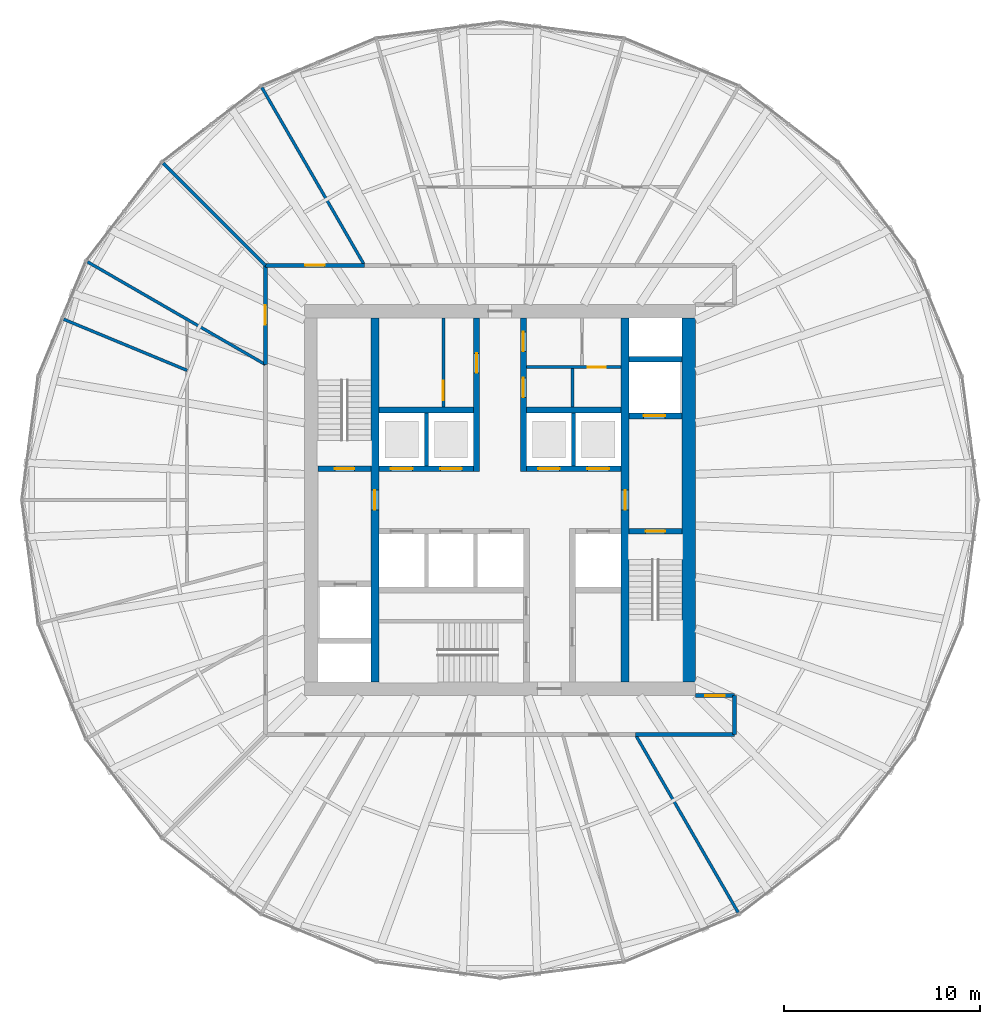
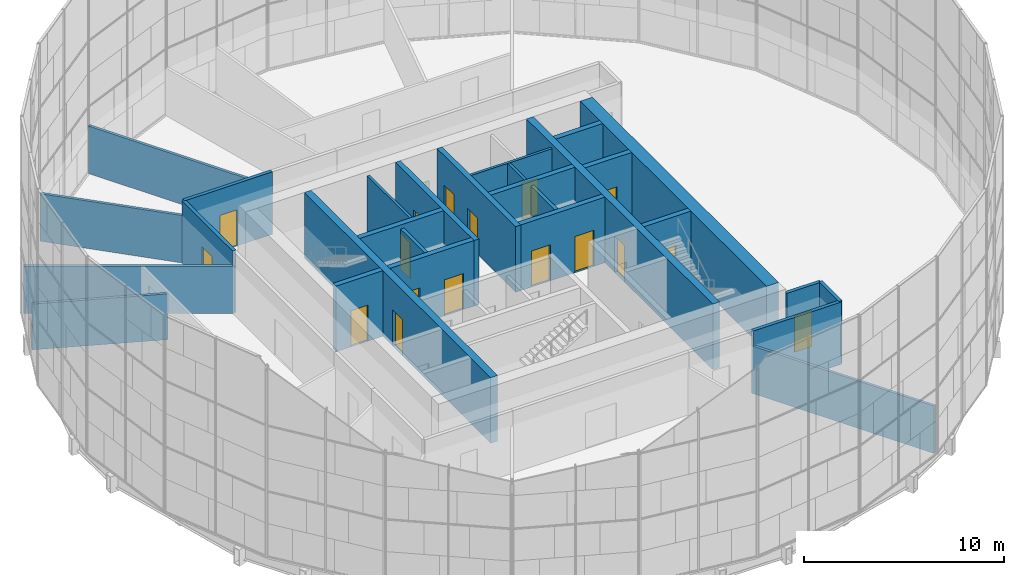
# One storey, part 19 of 22: 28 walls, 17 doors, 17 openings.
"""IFC4 building model written with IfcOpenShell, lengths in metres."""

from ifc_helpers import new_model, si_unit, direction, frame, frame_2d, origin, place, context, subcontext, project, spatial, rectangle, extrude, material, layer, layer_set, type_object, element, fill, save


model = new_model("IFC4")

# Units and contexts
model_context = context("Model", 3, precision=1e-05, world=origin(), true_north=direction((0.0, 1.0)))
body_context = subcontext(model_context, "Body", "Model", "MODEL_VIEW")
ifc_project = project(units=[si_unit("LENGTHUNIT", "METRE"), si_unit("AREAUNIT", "SQUARE_METRE"), si_unit("VOLUMEUNIT", "CUBIC_METRE"), si_unit("PLANEANGLEUNIT", "RADIAN"), si_unit("MASSUNIT", "GRAM", prefix="KILO")], contexts=[model_context])

# Site, building, storey
site_placement = place(None, origin())
site = spatial("IfcSite", under=ifc_project, at=site_placement, CompositionType="ELEMENT")
building_placement = place(site_placement, origin())
building = spatial("IfcBuilding", under=site, at=building_placement, Name="Golbaran Civic Tower", CompositionType="ELEMENT")
storey_placement = place(building_placement, frame((0.0, 0.0, 90.0)))
storey = spatial("IfcBuildingStorey", under=building, at=storey_placement, Name="L21", CompositionType="ELEMENT", Elevation=90.0)

# Wall, opening, door
ifc_material_1 = material(Name="Concrete block", Category="concrete")
ifc_layer_1 = layer(ifc_material_1, 0.14990234375, Name="Concrete block")
ifc_layer_set_1 = layer_set([ifc_layer_1], Name="Concrete block")
wall_type_1 = type_object("IfcWallType", Name="BLOCKWORK PARTITION 150", PredefinedType="PARTITIONING", material=ifc_layer_set_1)
wall_1_placement = place(storey_placement, frame((1.35009765625, 6.800048828125, 0.0), z_axis=(0.0, 0.0, 1.0), x_axis=(1.0, 0.0, 0.0)))
wall_1 = element("IfcWall", 1, at=wall_1_placement, inside=storey, type_object=wall_type_1, Name="Toilet block partition TN1 L21", PredefinedType="PARTITIONING", context=body_context, shape_type="SweptSolid", body=[
    extrude(rectangle(XDim=4.849853515625, YDim=0.14990234375, at=frame_2d((2.4248046875, 0.0))), origin(), (0.0, 0.0, 1.0), 3.75),
])
opening_1_placement = place(wall_1_placement, frame((3.14990234375, 0.0, 0.0)))
opening_1 = element("IfcOpeningElement", 2, at=opening_1_placement, cuts=wall_1, Name="Opening L21.CLN", PredefinedType="OPENING", context=body_context, shape_type="SweptSolid", body=[
    extrude(rectangle(XDim=0.89990234375, YDim=2.199951171875, at=frame_2d((0.449951171875, 1.10009765625))), frame((0.0, 0.0849609375, 0.0), z_axis=(0.0, -1.0, 0.0), x_axis=(1.0, 0.0, 0.0)), (0.0, 0.0, 1.0), 0.169921875),
])
ifc_material_2 = material(Name="Timber door set in steel frame", Category="steel")
door_type_1 = type_object("IfcDoorType", Name="RISER DOOR 900x2200", OperationType="SINGLE_SWING_LEFT", PredefinedType="DOOR", material=ifc_material_2)
door_1_placement = place(opening_1_placement, origin())
door_1 = element("IfcDoor", 3, at=door_1_placement, inside=storey, type_object=door_type_1, Name="Sanitary Supplies Store door", OperationType="SINGLE_SWING_RIGHT", OverallHeight=2.199951171875, OverallWidth=0.89990234375, PredefinedType="DOOR", context=body_context, shape_type="SweptSolid", body=[
    extrude(rectangle(XDim=0.89990234375, YDim=2.199951171875, at=frame_2d((0.449951171875, 1.10009765625))), frame((0.0, 0.02490234375, 0.0), z_axis=(0.0, -1.0, 0.0), x_axis=(1.0, 0.0, 0.0)), (0.0, 0.0, 1.0), 0.050048828125),
])
fill(opening_1, door_1)

# Wall
wall_2_placement = place(storey_placement, frame((3.699951171875, 4.75, 0.0), z_axis=(0.0, 0.0, 1.0), x_axis=(0.0, 1.0, 0.0)))
element("IfcWall", 4, at=wall_2_placement, inside=storey, type_object=wall_type_1, Name="Toilet block partition TN2 L21", PredefinedType="PARTITIONING", context=body_context, shape_type="SweptSolid", body=[
    extrude(rectangle(XDim=1.97509765625, YDim=0.14990234375, at=frame_2d((0.987548828125, 0.0))), origin(), (0.0, 0.0, 1.0), 3.75),
])

# Wall, opening, door
ifc_material_3 = material(Name="Concrete C50/60", Category="concrete")
ifc_layer_2 = layer(ifc_material_3, 0.39990234375, Name="Concrete C50/60")
ifc_layer_set_2 = layer_set([ifc_layer_2], Name="Concrete C50/60")
wall_type_2 = type_object("IfcWallType", Name="CORE WALL CONCRETE 400", PredefinedType="SOLIDWALL", material=ifc_layer_set_2)
wall_3_placement = place(storey_placement, frame((-6.39990234375, -9.300048828125, 0.0), z_axis=(0.0, 0.0, 1.0), x_axis=(0.0, 1.0, 0.0)))
wall_3 = element("IfcWall", 5, at=wall_3_placement, inside=storey, type_object=wall_type_2, Name="Core wall IW L21", PredefinedType="SOLIDWALL", context=body_context, shape_type="SweptSolid", body=[
    extrude(rectangle(XDim=18.60009765625, YDim=0.39990234375, at=frame_2d((9.300048828125, 0.0))), origin(), (0.0, 0.0, 1.0), 4.0),
])
opening_2_placement = place(wall_3_placement, frame((8.800048828125, 0.0, 0.0)))
opening_2 = element("IfcOpeningElement", 6, at=opening_2_placement, cuts=wall_3, Name="Opening L21.FL1", PredefinedType="OPENING", context=body_context, shape_type="SweptSolid", body=[
    extrude(rectangle(XDim=1.0, YDim=2.199951171875, at=frame_2d((0.5, 1.10009765625))), frame((0.0, 0.2099609375, 0.0), z_axis=(0.0, -1.0, 0.0), x_axis=(1.0, 0.0, 0.0)), (0.0, 0.0, 1.0), 0.419921875),
])
door_type_2 = type_object("IfcDoorType", Name="STAIR DOOR 1000x2200", OperationType="SINGLE_SWING_LEFT", PredefinedType="DOOR", material=ifc_material_2)
door_2_placement = place(opening_2_placement, origin())
door_2 = element("IfcDoor", 7, at=door_2_placement, inside=storey, type_object=door_type_2, Name="Fire-fighting lobby FL1 door", OperationType="SINGLE_SWING_LEFT", OverallHeight=2.199951171875, OverallWidth=1.0, PredefinedType="DOOR", context=body_context, shape_type="SweptSolid", body=[
    extrude(rectangle(XDim=1.0, YDim=2.199951171875, at=frame_2d((0.5, 1.10009765625))), frame((0.0, 0.02490234375, 0.0), z_axis=(0.0, -1.0, 0.0), x_axis=(1.0, 0.0, 0.0)), (0.0, 0.0, 1.0), 0.050048828125),
])
fill(opening_2, door_2)

wall_4_placement = place(storey_placement, frame((6.39990234375, 9.300048828125, 0.0), z_axis=(0.0, 0.0, 1.0), x_axis=(0.0, -1.0, 0.0)))
wall_4 = element("IfcWall", 8, at=wall_4_placement, inside=storey, type_object=wall_type_2, Name="Core wall IE L21", PredefinedType="SOLIDWALL", context=body_context, shape_type="SweptSolid", body=[
    extrude(rectangle(XDim=18.60009765625, YDim=0.39990234375, at=frame_2d((9.300048828125, 0.0))), origin(), (0.0, 0.0, 1.0), 4.0),
])
opening_3_placement = place(wall_4_placement, frame((8.800048828125, 0.0, 0.0)))
opening_3 = element("IfcOpeningElement", 9, at=opening_3_placement, cuts=wall_4, Name="Opening L21.FL2", PredefinedType="OPENING", context=body_context, shape_type="SweptSolid", body=[
    extrude(rectangle(XDim=1.0, YDim=2.199951171875, at=frame_2d((0.5, 1.10009765625))), frame((0.0, 0.2099609375, 0.0), z_axis=(0.0, -1.0, 0.0), x_axis=(1.0, 0.0, 0.0)), (0.0, 0.0, 1.0), 0.419921875),
])
door_3_placement = place(opening_3_placement, origin())
door_3 = element("IfcDoor", 10, at=door_3_placement, inside=storey, type_object=door_type_2, Name="Fire-fighting lobby FL2 door", OperationType="SINGLE_SWING_RIGHT", OverallHeight=2.199951171875, OverallWidth=1.0, PredefinedType="DOOR", context=body_context, shape_type="SweptSolid", body=[
    extrude(rectangle(XDim=1.0, YDim=2.199951171875, at=frame_2d((0.5, 1.10009765625))), frame((0.0, 0.02490234375, 0.0), z_axis=(0.0, -1.0, 0.0), x_axis=(1.0, 0.0, 0.0)), (0.0, 0.0, 1.0), 0.050048828125),
])
fill(opening_3, door_3)

# Wall
ifc_layer_3 = layer(ifc_material_3, 0.699951171875, Name="Concrete C50/60")
ifc_layer_set_3 = layer_set([ifc_layer_3], Name="Concrete C50/60")
wall_type_3 = type_object("IfcWallType", Name="CORE WALL CONCRETE 700", PredefinedType="SOLIDWALL", material=ifc_layer_set_3)
wall_5_placement = place(storey_placement, frame((9.64990234375, -9.300048828125, 0.0), z_axis=(0.0, 0.0, 1.0), x_axis=(0.0, 1.0, 0.0)))
element("IfcWall", 11, at=wall_5_placement, inside=storey, type_object=wall_type_3, Name="Core wall CE L21", PredefinedType="SOLIDWALL", context=body_context, shape_type="SweptSolid", body=[
    extrude(rectangle(XDim=18.60009765625, YDim=0.699951171875, at=frame_2d((9.300048828125, 0.0))), origin(), (0.0, 0.0, 1.0), 4.0),
])

# Wall, opening, door
ifc_material_4 = material(Name="Gypsum board on steel studs, fire-rated", Category="steel")
ifc_layer_4 = layer(ifc_material_4, 0.199951171875, Name="Gypsum board on steel studs, fire-rated")
ifc_layer_set_4 = layer_set([ifc_layer_4], Name="Gypsum board on steel studs, fire-rated")
wall_type_4 = type_object("IfcWallType", Name="CORRIDOR WALL 200", PredefinedType="PARTITIONING", material=ifc_layer_set_4)
wall_6_placement = place(storey_placement, frame((-6.92822265625, 12.0, 0.0), z_axis=(0.0, 0.0, 1.0), x_axis=(-1.0, 0.0, 0.0)))
wall_6 = element("IfcWall", 12, at=wall_6_placement, inside=storey, type_object=wall_type_4, Name="Corridor wall L21", PredefinedType="PARTITIONING", context=body_context, shape_type="SweptSolid", body=[
    extrude(rectangle(XDim=5.07177734375, YDim=0.199951171875, at=frame_2d((2.535888671875, 0.0))), origin(), (0.0, 0.0, 1.0), 3.800048828125),
])
opening_4_placement = place(wall_6_placement, frame((2.035888671875, 0.0, 0.0)))
opening_4 = element("IfcOpeningElement", 13, at=opening_4_placement, cuts=wall_6, Name="Opening L21.10", PredefinedType="OPENING", context=body_context, shape_type="SweptSolid", body=[
    extrude(rectangle(XDim=1.0, YDim=2.199951171875, at=frame_2d((0.5, 1.10009765625))), frame((0.0, 0.10986328125, 0.0), z_axis=(0.0, -1.0, 0.0), x_axis=(1.0, 0.0, 0.0)), (0.0, 0.0, 1.0), 0.219970703125),
])
door_type_3 = type_object("IfcDoorType", Name="OFFICE DOOR 1000x2200", OperationType="SINGLE_SWING_LEFT", PredefinedType="DOOR", material=ifc_material_2)
door_4_placement = place(opening_4_placement, origin())
door_4 = element("IfcDoor", 14, at=door_4_placement, inside=storey, type_object=door_type_3, Name="Interview Room door L21", OperationType="SINGLE_SWING_RIGHT", OverallHeight=2.199951171875, OverallWidth=1.0, PredefinedType="DOOR", context=body_context, shape_type="SweptSolid", body=[
    extrude(rectangle(XDim=1.0, YDim=2.199951171875, at=frame_2d((0.5, 1.10009765625))), frame((0.0, 0.02490234375, 0.0), z_axis=(0.0, -1.0, 0.0), x_axis=(1.0, 0.0, 0.0)), (0.0, 0.0, 1.0), 0.050048828125),
])
fill(opening_4, door_4)

wall_7_placement = place(storey_placement, frame((-12.0, 12.0, 0.0), z_axis=(0.0, 0.0, 1.0), x_axis=(0.0, -1.0, 0.0)))
wall_7 = element("IfcWall", 15, at=wall_7_placement, inside=storey, type_object=wall_type_4, Name="Corridor wall L21", PredefinedType="PARTITIONING", context=body_context, shape_type="SweptSolid", body=[
    extrude(rectangle(XDim=5.07177734375, YDim=0.199951171875, at=frame_2d((2.535888671875, 0.0))), origin(), (0.0, 0.0, 1.0), 3.800048828125),
])
opening_5_placement = place(wall_7_placement, frame((2.035888671875, 0.0, 0.0)))
opening_5 = element("IfcOpeningElement", 16, at=opening_5_placement, cuts=wall_7, Name="Opening L21.11", PredefinedType="OPENING", context=body_context, shape_type="SweptSolid", body=[
    extrude(rectangle(XDim=1.0, YDim=2.199951171875, at=frame_2d((0.5, 1.10009765625))), frame((0.0, 0.10986328125, 0.0), z_axis=(0.0, -1.0, 0.0), x_axis=(1.0, 0.0, 0.0)), (0.0, 0.0, 1.0), 0.219970703125),
])
door_5_placement = place(opening_5_placement, origin())
door_5 = element("IfcDoor", 17, at=door_5_placement, inside=storey, type_object=door_type_3, Name="Office door L21", OperationType="SINGLE_SWING_RIGHT", OverallHeight=2.199951171875, OverallWidth=1.0, PredefinedType="DOOR", context=body_context, shape_type="SweptSolid", body=[
    extrude(rectangle(XDim=1.0, YDim=2.199951171875, at=frame_2d((0.5, 1.10009765625))), frame((0.0, 0.02490234375, 0.0), z_axis=(0.0, -1.0, 0.0), x_axis=(1.0, 0.0, 0.0)), (0.0, 0.0, 1.0), 0.050048828125),
])
fill(opening_5, door_5)

# Walls
wall_8_placement = place(storey_placement, frame((6.92822265625, -12.0, 0.0), z_axis=(0.0, 0.0, 1.0), x_axis=(1.0, 0.0, 0.0)))
element("IfcWall", 18, at=wall_8_placement, inside=storey, type_object=wall_type_4, Name="Corridor wall L21", PredefinedType="PARTITIONING", context=body_context, shape_type="SweptSolid", body=[
    extrude(rectangle(XDim=5.07177734375, YDim=0.199951171875, at=frame_2d((2.535888671875, 0.0))), origin(), (0.0, 0.0, 1.0), 3.800048828125),
])
wall_9_placement = place(storey_placement, frame((12.0, -12.0, 0.0), z_axis=(0.0, 0.0, 1.0), x_axis=(0.0, 1.0, 0.0)))
element("IfcWall", 19, at=wall_9_placement, inside=storey, type_object=wall_type_4, Name="Corridor wall L21", PredefinedType="PARTITIONING", context=body_context, shape_type="SweptSolid", body=[
    extrude(rectangle(XDim=2.0, YDim=0.199951171875, at=frame_2d((1.0, 0.0))), origin(), (0.0, 0.0, 1.0), 3.800048828125),
])

# Wall, opening, door
wall_10_placement = place(storey_placement, frame((10.0, -10.0, 0.0), z_axis=(0.0, 0.0, 1.0), x_axis=(1.0, 0.0, 0.0)))
wall_10 = element("IfcWall", 20, at=wall_10_placement, inside=storey, type_object=wall_type_4, Name="Corridor end wall L21", PredefinedType="PARTITIONING", context=body_context, shape_type="SweptSolid", body=[
    extrude(rectangle(XDim=2.0, YDim=0.199951171875, at=frame_2d((1.0, 0.0))), origin(), (0.0, 0.0, 1.0), 3.800048828125),
])
opening_6_placement = place(wall_10_placement, frame((0.5, 0.0, 0.0)))
opening_6 = element("IfcOpeningElement", 21, at=opening_6_placement, cuts=wall_10, Name="Opening L21.20", PredefinedType="OPENING", context=body_context, shape_type="SweptSolid", body=[
    extrude(rectangle(XDim=1.0, YDim=2.199951171875, at=frame_2d((0.5, 1.10009765625))), frame((0.0, 0.10986328125, 0.0), z_axis=(0.0, -1.0, 0.0), x_axis=(1.0, 0.0, 0.0)), (0.0, 0.0, 1.0), 0.219970703125),
])
door_6_placement = place(opening_6_placement, origin())
door_6 = element("IfcDoor", 22, at=door_6_placement, inside=storey, type_object=door_type_3, Name="Open Office door L21", OperationType="SINGLE_SWING_LEFT", OverallHeight=2.199951171875, OverallWidth=1.0, PredefinedType="DOOR", context=body_context, shape_type="SweptSolid", body=[
    extrude(rectangle(XDim=1.0, YDim=2.199951171875, at=frame_2d((0.5, 1.10009765625))), frame((0.0, 0.02490234375, 0.0), z_axis=(0.0, -1.0, 0.0), x_axis=(1.0, 0.0, 0.0)), (0.0, 0.0, 1.0), 0.050048828125),
])
fill(opening_6, door_6)

# Walls
ifc_layer_5 = layer(ifc_material_1, 0.199951171875, Name="Concrete block")
ifc_layer_set_5 = layer_set([ifc_layer_5], Name="Concrete block")
wall_type_5 = type_object("IfcWallType", Name="LIFT SEPARATOR WALL 200", PredefinedType="SOLIDWALL", material=ifc_layer_set_5)
for number, where, z_axis, x_axis, name in (
    (23, (-3.75, 1.75, 0.0), (0.0, 0.0, 1.0), (0.0, 1.0, 0.0), "Core partition SNW L21"),
    (24, (3.75, 1.75, 0.0), (0.0, 0.0, 1.0), (0.0, 1.0, 0.0), "Core partition SNE L21"),
):
    element("IfcWall", number, at=place(storey_placement, frame(where, z_axis=z_axis, x_axis=x_axis)), inside=storey, type_object=wall_type_5, Name=name, PredefinedType="SOLIDWALL", context=body_context, shape_type="SweptSolid", body=[
        extrude(rectangle(XDim=2.699951171875, YDim=0.199951171875, at=frame_2d((1.35009765625, 0.0))), origin(), (0.0, 0.0, 1.0), 3.75),
    ])
ifc_material_5 = material(Name="Gypsum board on steel studs", Category="steel")
ifc_layer_6 = layer(ifc_material_5, 0.14990234375, Name="Gypsum board on steel studs")
ifc_layer_set_6 = layer_set([ifc_layer_6], Name="Gypsum board on steel studs")
wall_type_6 = type_object("IfcWallType", Name="OFFICE PARTITION 150", PredefinedType="PARTITIONING", material=ifc_layer_set_6)
wall_11_placement = place(storey_placement, frame((-6.92822265625, 12.0, 0.0), z_axis=(0.0, 0.0, 1.0), x_axis=(-0.499995153367, 0.866028201971, 0.0)))
element("IfcWall", 25, at=wall_11_placement, inside=storey, type_object=wall_type_6, Name="Partition 120 L21", PredefinedType="PARTITIONING", context=body_context, shape_type="SweptSolid", body=[
    extrude(rectangle(XDim=10.513671875, YDim=0.14990234375, at=frame_2d((5.2568359375, 0.0))), origin(), (0.0, 0.0, 1.0), 2.889892578125),
])
wall_12_placement = place(storey_placement, frame((-12.0, 12.0, 0.0), z_axis=(0.0, 0.0, 1.0), x_axis=(-0.707106781187, 0.707106781187, 0.0)))
element("IfcWall", 26, at=wall_12_placement, inside=storey, type_object=wall_type_6, Name="Partition 135 L21", PredefinedType="PARTITIONING", context=body_context, shape_type="SweptSolid", body=[
    extrude(rectangle(XDim=7.399658203125, YDim=0.14990234375, at=frame_2d((3.69970703125, 0.0))), origin(), (0.0, 0.0, 1.0), 2.889892578125),
])
for number, where, z_axis, x_axis, name in (
    (27, (-12.0, 6.92822265625, 0.0), (0.0, 0.0, 1.0), (-0.866028201971, 0.499995153367, 0.0), "Partition 150 L21"),
    (28, (6.92822265625, -12.0, 0.0), (0.0, 0.0, 1.0), (0.499995153367, -0.866028201971, 0.0), "Partition 300 L21"),
):
    element("IfcWall", number, at=place(storey_placement, frame(where, z_axis=z_axis, x_axis=x_axis)), inside=storey, type_object=wall_type_6, Name=name, PredefinedType="PARTITIONING", context=body_context, shape_type="SweptSolid", body=[
        extrude(rectangle(XDim=10.513671875, YDim=0.14990234375, at=frame_2d((5.2568359375, 0.0))), origin(), (0.0, 0.0, 1.0), 2.889892578125),
    ])
wall_13_placement = place(storey_placement, frame((-16.0, 6.62744140625, 0.0), z_axis=(0.0, 0.0, 1.0), x_axis=(-0.923878127723, 0.382686823805, 0.0)))
element("IfcWall", 29, at=wall_13_placement, inside=storey, type_object=wall_type_6, Name="Partition 157.5 L21", PredefinedType="PARTITIONING", context=body_context, shape_type="SweptSolid", body=[
    extrude(rectangle(XDim=6.843505859375, YDim=0.14990234375, at=frame_2d((3.421875, 0.0))), origin(), (0.0, 0.0, 1.0), 2.7900390625),
])

# Wall, openings, doors
ifc_layer_7 = layer(ifc_material_3, 0.300048828125, Name="Concrete C50/60")
ifc_layer_set_7 = layer_set([ifc_layer_7], Name="Concrete C50/60")
wall_type_7 = type_object("IfcWallType", Name="SHAFT WALL CONCRETE 300", PredefinedType="SOLIDWALL", material=ifc_layer_set_7)
wall_14_placement = place(storey_placement, frame((-6.199951171875, 1.60009765625, 0.0), z_axis=(0.0, 0.0, 1.0), x_axis=(1.0, 0.0, 0.0)))
wall_14 = element("IfcWall", 30, at=wall_14_placement, inside=storey, type_object=wall_type_7, Name="Core wall FNW L21", PredefinedType="SOLIDWALL", context=body_context, shape_type="SweptSolid", body=[
    extrude(rectangle(XDim=4.849853515625, YDim=0.300048828125, at=frame_2d((2.4248046875, 0.0))), origin(), (0.0, 0.0, 1.0), 4.0),
])
opening_7_placement = place(wall_14_placement, frame((0.625, 0.0, 0.0)))
opening_7 = element("IfcOpeningElement", 31, at=opening_7_placement, cuts=wall_14, Name="Opening L21.LD-Z1M", PredefinedType="OPENING", context=body_context, shape_type="SweptSolid", body=[
    extrude(rectangle(XDim=1.10009765625, YDim=2.199951171875, at=frame_2d((0.550048828125, 1.10009765625))), frame((0.0, 0.159912109375, 0.0), z_axis=(0.0, -1.0, 0.0), x_axis=(1.0, 0.0, 0.0)), (0.0, 0.0, 1.0), 0.320068359375),
])
opening_8_placement = place(wall_14_placement, frame((3.14990234375, 0.0, 0.0)))
opening_8 = element("IfcOpeningElement", 32, at=opening_8_placement, cuts=wall_14, Name="Opening L21.LD-Z2M", PredefinedType="OPENING", context=body_context, shape_type="SweptSolid", body=[
    extrude(rectangle(XDim=1.10009765625, YDim=2.199951171875, at=frame_2d((0.550048828125, 1.10009765625))), frame((0.0, 0.159912109375, 0.0), z_axis=(0.0, -1.0, 0.0), x_axis=(1.0, 0.0, 0.0)), (0.0, 0.0, 1.0), 0.320068359375),
])
ifc_material_6 = material(Name="Stainless steel", Category="steel")
door_type_4 = type_object("IfcDoorType", Name="LIFT LANDING DOOR 1100x2200", OperationType="SLIDING_TO_LEFT", PredefinedType="DOOR", material=ifc_material_6)
door_7_placement = place(opening_7_placement, origin())
door_7 = element("IfcDoor", 33, at=door_7_placement, inside=storey, type_object=door_type_4, Name="Lift landing door Z1M", OperationType="SLIDING_TO_LEFT", OverallHeight=2.199951171875, OverallWidth=1.10009765625, PredefinedType="DOOR", context=body_context, shape_type="SweptSolid", body=[
    extrude(rectangle(XDim=1.10009765625, YDim=2.199951171875, at=frame_2d((0.550048828125, 1.10009765625))), frame((0.0, 0.02490234375, 0.0), z_axis=(0.0, -1.0, 0.0), x_axis=(1.0, 0.0, 0.0)), (0.0, 0.0, 1.0), 0.050048828125),
])
fill(opening_7, door_7)
door_8_placement = place(opening_8_placement, origin())
door_8 = element("IfcDoor", 34, at=door_8_placement, inside=storey, type_object=door_type_4, Name="Lift landing door Z2M", OperationType="SLIDING_TO_LEFT", OverallHeight=2.199951171875, OverallWidth=1.10009765625, PredefinedType="DOOR", context=body_context, shape_type="SweptSolid", body=[
    extrude(rectangle(XDim=1.10009765625, YDim=2.199951171875, at=frame_2d((0.550048828125, 1.10009765625))), frame((0.0, 0.02490234375, 0.0), z_axis=(0.0, -1.0, 0.0), x_axis=(1.0, 0.0, 0.0)), (0.0, 0.0, 1.0), 0.050048828125),
])
fill(opening_8, door_8)

wall_15_placement = place(storey_placement, frame((1.35009765625, 1.60009765625, 0.0), z_axis=(0.0, 0.0, 1.0), x_axis=(1.0, 0.0, 0.0)))
wall_15 = element("IfcWall", 35, at=wall_15_placement, inside=storey, type_object=wall_type_7, Name="Core wall FNE L21", PredefinedType="SOLIDWALL", context=body_context, shape_type="SweptSolid", body=[
    extrude(rectangle(XDim=4.849853515625, YDim=0.300048828125, at=frame_2d((2.4248046875, 0.0))), origin(), (0.0, 0.0, 1.0), 4.0),
])
opening_9_placement = place(wall_15_placement, frame((0.60009765625, 0.0, 0.0)))
opening_9 = element("IfcOpeningElement", 36, at=opening_9_placement, cuts=wall_15, Name="Opening L21.LD-Z3M", PredefinedType="OPENING", context=body_context, shape_type="SweptSolid", body=[
    extrude(rectangle(XDim=1.10009765625, YDim=2.199951171875, at=frame_2d((0.550048828125, 1.10009765625))), frame((0.0, 0.159912109375, 0.0), z_axis=(0.0, -1.0, 0.0), x_axis=(1.0, 0.0, 0.0)), (0.0, 0.0, 1.0), 0.320068359375),
])
opening_10_placement = place(wall_15_placement, frame((3.125, 0.0, 0.0)))
opening_10 = element("IfcOpeningElement", 37, at=opening_10_placement, cuts=wall_15, Name="Opening L21.LD-Z4M", PredefinedType="OPENING", context=body_context, shape_type="SweptSolid", body=[
    extrude(rectangle(XDim=1.10009765625, YDim=2.199951171875, at=frame_2d((0.550048828125, 1.10009765625))), frame((0.0, 0.159912109375, 0.0), z_axis=(0.0, -1.0, 0.0), x_axis=(1.0, 0.0, 0.0)), (0.0, 0.0, 1.0), 0.320068359375),
])
door_9_placement = place(opening_9_placement, origin())
door_9 = element("IfcDoor", 38, at=door_9_placement, inside=storey, type_object=door_type_4, Name="Lift landing door Z3M", OperationType="SLIDING_TO_LEFT", OverallHeight=2.199951171875, OverallWidth=1.10009765625, PredefinedType="DOOR", context=body_context, shape_type="SweptSolid", body=[
    extrude(rectangle(XDim=1.10009765625, YDim=2.199951171875, at=frame_2d((0.550048828125, 1.10009765625))), frame((0.0, 0.02490234375, 0.0), z_axis=(0.0, -1.0, 0.0), x_axis=(1.0, 0.0, 0.0)), (0.0, 0.0, 1.0), 0.050048828125),
])
fill(opening_9, door_9)
door_10_placement = place(opening_10_placement, origin())
door_10 = element("IfcDoor", 39, at=door_10_placement, inside=storey, type_object=door_type_4, Name="Lift landing door Z4M", OperationType="SLIDING_TO_LEFT", OverallHeight=2.199951171875, OverallWidth=1.10009765625, PredefinedType="DOOR", context=body_context, shape_type="SweptSolid", body=[
    extrude(rectangle(XDim=1.10009765625, YDim=2.199951171875, at=frame_2d((0.550048828125, 1.10009765625))), frame((0.0, 0.02490234375, 0.0), z_axis=(0.0, -1.0, 0.0), x_axis=(1.0, 0.0, 0.0)), (0.0, 0.0, 1.0), 0.050048828125),
])
fill(opening_10, door_10)

# Walls
for number, where, z_axis, x_axis, name in (
    (40, (-6.199951171875, 4.60009765625, 0.0), (0.0, 0.0, 1.0), (1.0, 0.0, 0.0), "Core wall BNW L21"),
    (41, (1.35009765625, 4.60009765625, 0.0), (0.0, 0.0, 1.0), (1.0, 0.0, 0.0), "Core wall BNE L21"),
):
    element("IfcWall", number, at=place(storey_placement, frame(where, z_axis=z_axis, x_axis=x_axis)), inside=storey, type_object=wall_type_7, Name=name, PredefinedType="SOLIDWALL", context=body_context, shape_type="SweptSolid", body=[
        extrude(rectangle(XDim=4.849853515625, YDim=0.300048828125, at=frame_2d((2.4248046875, 0.0))), origin(), (0.0, 0.0, 1.0), 4.0),
    ])

# Wall, opening, door
wall_16_placement = place(storey_placement, frame((-1.199951171875, 1.449951171875, 0.0), z_axis=(0.0, 0.0, 1.0), x_axis=(0.0, 1.0, 0.0)))
wall_16 = element("IfcWall", 42, at=wall_16_placement, inside=storey, type_object=wall_type_7, Name="Core wall PNW L21", PredefinedType="SOLIDWALL", context=body_context, shape_type="SweptSolid", body=[
    extrude(rectangle(XDim=7.85009765625, YDim=0.300048828125, at=frame_2d((3.925048828125, 0.0))), origin(), (0.0, 0.0, 1.0), 4.0),
])
opening_11_placement = place(wall_16_placement, frame((5.050048828125, 0.0, 0.0)))
opening_11 = element("IfcOpeningElement", 43, at=opening_11_placement, cuts=wall_16, Name="Opening L21.WCM", PredefinedType="OPENING", context=body_context, shape_type="SweptSolid", body=[
    extrude(rectangle(XDim=1.0, YDim=2.199951171875, at=frame_2d((0.5, 1.10009765625))), frame((0.0, 0.159912109375, 0.0), z_axis=(0.0, -1.0, 0.0), x_axis=(1.0, 0.0, 0.0)), (0.0, 0.0, 1.0), 0.320068359375),
])
door_type_5 = type_object("IfcDoorType", Name="TOILET DOOR 1000x2200", OperationType="SINGLE_SWING_LEFT", PredefinedType="DOOR", material=ifc_material_2)
door_11_placement = place(opening_11_placement, origin())
door_11 = element("IfcDoor", 44, at=door_11_placement, inside=storey, type_object=door_type_5, Name="North-west toilet block door", OperationType="SINGLE_SWING_RIGHT", OverallHeight=2.199951171875, OverallWidth=1.0, PredefinedType="DOOR", context=body_context, shape_type="SweptSolid", body=[
    extrude(rectangle(XDim=1.0, YDim=2.199951171875, at=frame_2d((0.5, 1.10009765625))), frame((0.0, 0.02490234375, 0.0), z_axis=(0.0, -1.0, 0.0), x_axis=(1.0, 0.0, 0.0)), (0.0, 0.0, 1.0), 0.050048828125),
])
fill(opening_11, door_11)

# Wall, openings, doors
wall_17_placement = place(storey_placement, frame((1.199951171875, 1.449951171875, 0.0), z_axis=(0.0, 0.0, 1.0), x_axis=(0.0, 1.0, 0.0)))
wall_17 = element("IfcWall", 45, at=wall_17_placement, inside=storey, type_object=wall_type_7, Name="Core wall PNE L21", PredefinedType="SOLIDWALL", context=body_context, shape_type="SweptSolid", body=[
    extrude(rectangle(XDim=7.85009765625, YDim=0.300048828125, at=frame_2d((3.925048828125, 0.0))), origin(), (0.0, 0.0, 1.0), 4.0),
])
opening_12_placement = place(wall_17_placement, frame((3.800048828125, 0.0, 0.0)))
opening_12 = element("IfcOpeningElement", 46, at=opening_12_placement, cuts=wall_17, Name="Opening L21.WCA", PredefinedType="OPENING", context=body_context, shape_type="SweptSolid", body=[
    extrude(rectangle(XDim=1.0, YDim=2.199951171875, at=frame_2d((0.5, 1.10009765625))), frame((0.0, 0.159912109375, 0.0), z_axis=(0.0, -1.0, 0.0), x_axis=(1.0, 0.0, 0.0)), (0.0, 0.0, 1.0), 0.320068359375),
])
opening_13_placement = place(wall_17_placement, frame((6.14990234375, 0.0, 0.0)))
opening_13 = element("IfcOpeningElement", 47, at=opening_13_placement, cuts=wall_17, Name="Opening L21.WCF", PredefinedType="OPENING", context=body_context, shape_type="SweptSolid", body=[
    extrude(rectangle(XDim=1.0, YDim=2.199951171875, at=frame_2d((0.5, 1.10009765625))), frame((0.0, 0.159912109375, 0.0), z_axis=(0.0, -1.0, 0.0), x_axis=(1.0, 0.0, 0.0)), (0.0, 0.0, 1.0), 0.320068359375),
])
door_12_placement = place(opening_12_placement, origin())
door_12 = element("IfcDoor", 48, at=door_12_placement, inside=storey, type_object=door_type_5, Name="Accessible WC door", OperationType="SINGLE_SWING_RIGHT", OverallHeight=2.199951171875, OverallWidth=1.0, PredefinedType="DOOR", context=body_context, shape_type="SweptSolid", body=[
    extrude(rectangle(XDim=1.0, YDim=2.199951171875, at=frame_2d((0.5, 1.10009765625))), frame((0.0, 0.02490234375, 0.0), z_axis=(0.0, -1.0, 0.0), x_axis=(1.0, 0.0, 0.0)), (0.0, 0.0, 1.0), 0.050048828125),
])
fill(opening_12, door_12)
door_13_placement = place(opening_13_placement, origin())
door_13 = element("IfcDoor", 49, at=door_13_placement, inside=storey, type_object=door_type_5, Name="North-east toilet block door", OperationType="SINGLE_SWING_RIGHT", OverallHeight=2.199951171875, OverallWidth=1.0, PredefinedType="DOOR", context=body_context, shape_type="SweptSolid", body=[
    extrude(rectangle(XDim=1.0, YDim=2.199951171875, at=frame_2d((0.5, 1.10009765625))), frame((0.0, 0.02490234375, 0.0), z_axis=(0.0, -1.0, 0.0), x_axis=(1.0, 0.0, 0.0)), (0.0, 0.0, 1.0), 0.050048828125),
])
fill(opening_13, door_13)

# Wall, opening, door
wall_18_placement = place(storey_placement, frame((-9.300048828125, 1.60009765625, 0.0), z_axis=(0.0, 0.0, 1.0), x_axis=(1.0, 0.0, 0.0)))
wall_18 = element("IfcWall", 50, at=wall_18_placement, inside=storey, type_object=wall_type_7, Name="Core wall XW1 L21", PredefinedType="SOLIDWALL", context=body_context, shape_type="SweptSolid", body=[
    extrude(rectangle(XDim=2.699951171875, YDim=0.300048828125, at=frame_2d((1.35009765625, 0.0))), origin(), (0.0, 0.0, 1.0), 4.0),
])
opening_14_placement = place(wall_18_placement, frame((0.85009765625, 0.0, 0.0)))
opening_14 = element("IfcOpeningElement", 51, at=opening_14_placement, cuts=wall_18, Name="Opening L21.S1", PredefinedType="OPENING", context=body_context, shape_type="SweptSolid", body=[
    extrude(rectangle(XDim=1.0, YDim=2.199951171875, at=frame_2d((0.5, 1.10009765625))), frame((0.0, 0.159912109375, 0.0), z_axis=(0.0, -1.0, 0.0), x_axis=(1.0, 0.0, 0.0)), (0.0, 0.0, 1.0), 0.320068359375),
])
door_14_placement = place(opening_14_placement, origin())
door_14 = element("IfcDoor", 52, at=door_14_placement, inside=storey, type_object=door_type_2, Name="Stair S1 door", OperationType="SINGLE_SWING_LEFT", OverallHeight=2.199951171875, OverallWidth=1.0, PredefinedType="DOOR", context=body_context, shape_type="SweptSolid", body=[
    extrude(rectangle(XDim=1.0, YDim=2.199951171875, at=frame_2d((0.5, 1.10009765625))), frame((0.0, 0.02490234375, 0.0), z_axis=(0.0, -1.0, 0.0), x_axis=(1.0, 0.0, 0.0)), (0.0, 0.0, 1.0), 0.050048828125),
])
fill(opening_14, door_14)

wall_19_placement = place(storey_placement, frame((6.60009765625, -1.60009765625, 0.0), z_axis=(0.0, 0.0, 1.0), x_axis=(1.0, 0.0, 0.0)))
wall_19 = element("IfcWall", 53, at=wall_19_placement, inside=storey, type_object=wall_type_7, Name="Core wall XE1 L21", PredefinedType="SOLIDWALL", context=body_context, shape_type="SweptSolid", body=[
    extrude(rectangle(XDim=2.699951171875, YDim=0.300048828125, at=frame_2d((1.35009765625, 0.0))), origin(), (0.0, 0.0, 1.0), 4.0),
])
opening_15_placement = place(wall_19_placement, frame((0.85009765625, 0.0, 0.0)))
opening_15 = element("IfcOpeningElement", 54, at=opening_15_placement, cuts=wall_19, Name="Opening L21.S2", PredefinedType="OPENING", context=body_context, shape_type="SweptSolid", body=[
    extrude(rectangle(XDim=1.0, YDim=2.199951171875, at=frame_2d((0.5, 1.10009765625))), frame((0.0, 0.159912109375, 0.0), z_axis=(0.0, -1.0, 0.0), x_axis=(1.0, 0.0, 0.0)), (0.0, 0.0, 1.0), 0.320068359375),
])
door_15_placement = place(opening_15_placement, origin())
door_15 = element("IfcDoor", 55, at=door_15_placement, inside=storey, type_object=door_type_2, Name="Stair S2 door", OperationType="SINGLE_SWING_LEFT", OverallHeight=2.199951171875, OverallWidth=1.0, PredefinedType="DOOR", context=body_context, shape_type="SweptSolid", body=[
    extrude(rectangle(XDim=1.0, YDim=2.199951171875, at=frame_2d((0.5, 1.10009765625))), frame((0.0, 0.02490234375, 0.0), z_axis=(0.0, -1.0, 0.0), x_axis=(1.0, 0.0, 0.0)), (0.0, 0.0, 1.0), 0.050048828125),
])
fill(opening_15, door_15)

wall_20_placement = place(storey_placement, frame((6.60009765625, 4.300048828125, 0.0), z_axis=(0.0, 0.0, 1.0), x_axis=(1.0, 0.0, 0.0)))
wall_20 = element("IfcWall", 56, at=wall_20_placement, inside=storey, type_object=wall_type_7, Name="Core wall XE2 L21", PredefinedType="SOLIDWALL", context=body_context, shape_type="SweptSolid", body=[
    extrude(rectangle(XDim=2.699951171875, YDim=0.300048828125, at=frame_2d((1.35009765625, 0.0))), origin(), (0.0, 0.0, 1.0), 4.0),
])
opening_16_placement = place(wall_20_placement, frame((0.75, 0.0, 0.0)))
opening_16 = element("IfcOpeningElement", 57, at=opening_16_placement, cuts=wall_20, Name="Opening L21.LD-F2", PredefinedType="OPENING", context=body_context, shape_type="SweptSolid", body=[
    extrude(rectangle(XDim=1.10009765625, YDim=2.199951171875, at=frame_2d((0.550048828125, 1.10009765625))), frame((0.0, 0.159912109375, 0.0), z_axis=(0.0, -1.0, 0.0), x_axis=(1.0, 0.0, 0.0)), (0.0, 0.0, 1.0), 0.320068359375),
])
door_16_placement = place(opening_16_placement, origin())
door_16 = element("IfcDoor", 58, at=door_16_placement, inside=storey, type_object=door_type_4, Name="Lift landing door F2", OperationType="SLIDING_TO_LEFT", OverallHeight=2.199951171875, OverallWidth=1.10009765625, PredefinedType="DOOR", context=body_context, shape_type="SweptSolid", body=[
    extrude(rectangle(XDim=1.10009765625, YDim=2.199951171875, at=frame_2d((0.550048828125, 1.10009765625))), frame((0.0, 0.02490234375, 0.0), z_axis=(0.0, -1.0, 0.0), x_axis=(1.0, 0.0, 0.0)), (0.0, 0.0, 1.0), 0.050048828125),
])
fill(opening_16, door_16)

# Wall
wall_21_placement = place(storey_placement, frame((6.60009765625, 7.199951171875, 0.0), z_axis=(0.0, 0.0, 1.0), x_axis=(1.0, 0.0, 0.0)))
element("IfcWall", 59, at=wall_21_placement, inside=storey, type_object=wall_type_7, Name="Core wall XE3 L21", PredefinedType="SOLIDWALL", context=body_context, shape_type="SweptSolid", body=[
    extrude(rectangle(XDim=2.699951171875, YDim=0.300048828125, at=frame_2d((1.35009765625, 0.0))), origin(), (0.0, 0.0, 1.0), 4.0),
])

# Wall, opening, door
ifc_material_7 = material(Name="Moisture-resistant gypsum board on steel studs", Category="steel")
ifc_layer_8 = layer(ifc_material_7, 0.14990234375, Name="Moisture-resistant gypsum board on steel studs")
ifc_layer_set_8 = layer_set([ifc_layer_8], Name="Moisture-resistant gypsum board on steel studs")
wall_type_8 = type_object("IfcWallType", Name="TOILET BLOCK PARTITION 150", PredefinedType="PARTITIONING", material=ifc_layer_set_8)
wall_22_placement = place(storey_placement, frame((-2.89990234375, 4.75, 0.0), z_axis=(0.0, 0.0, 1.0), x_axis=(0.0, 1.0, 0.0)))
wall_22 = element("IfcWall", 60, at=wall_22_placement, inside=storey, type_object=wall_type_8, Name="Toilet block partition MWL L21", PredefinedType="PARTITIONING", context=body_context, shape_type="SweptSolid", body=[
    extrude(rectangle(XDim=4.550048828125, YDim=0.14990234375, at=frame_2d((2.27490234375, 0.0))), origin(), (0.0, 0.0, 1.0), 3.75),
])
opening_17_placement = place(wall_22_placement, frame((0.35009765625, 0.0, 0.0)))
opening_17 = element("IfcOpeningElement", 61, at=opening_17_placement, cuts=wall_22, Name="Opening L21.18", PredefinedType="OPENING", context=body_context, shape_type="SweptSolid", body=[
    extrude(rectangle(XDim=1.0, YDim=2.199951171875, at=frame_2d((0.5, 1.10009765625))), frame((0.0, 0.0849609375, 0.0), z_axis=(0.0, -1.0, 0.0), x_axis=(1.0, 0.0, 0.0)), (0.0, 0.0, 1.0), 0.169921875),
])
door_17_placement = place(opening_17_placement, origin())
door_17 = element("IfcDoor", 62, at=door_17_placement, inside=storey, type_object=door_type_5, Name="Male WC door", OperationType="SINGLE_SWING_LEFT", OverallHeight=2.199951171875, OverallWidth=1.0, PredefinedType="DOOR", context=body_context, shape_type="SweptSolid", body=[
    extrude(rectangle(XDim=1.0, YDim=2.199951171875, at=frame_2d((0.5, 1.10009765625))), frame((0.0, 0.02490234375, 0.0), z_axis=(0.0, -1.0, 0.0), x_axis=(1.0, 0.0, 0.0)), (0.0, 0.0, 1.0), 0.050048828125),
])
fill(opening_17, door_17)

save(model, "model.ifc")
